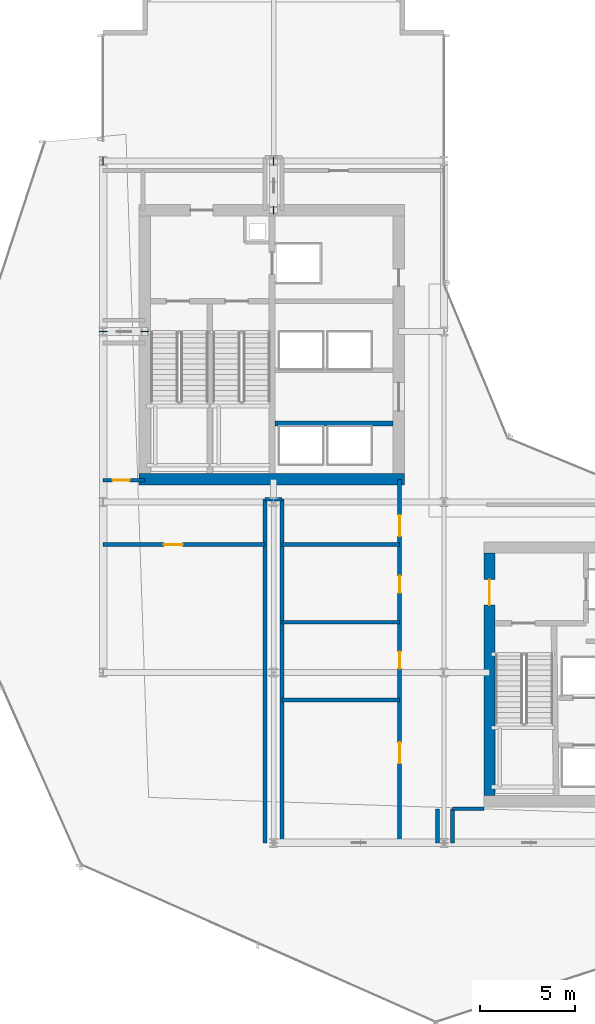
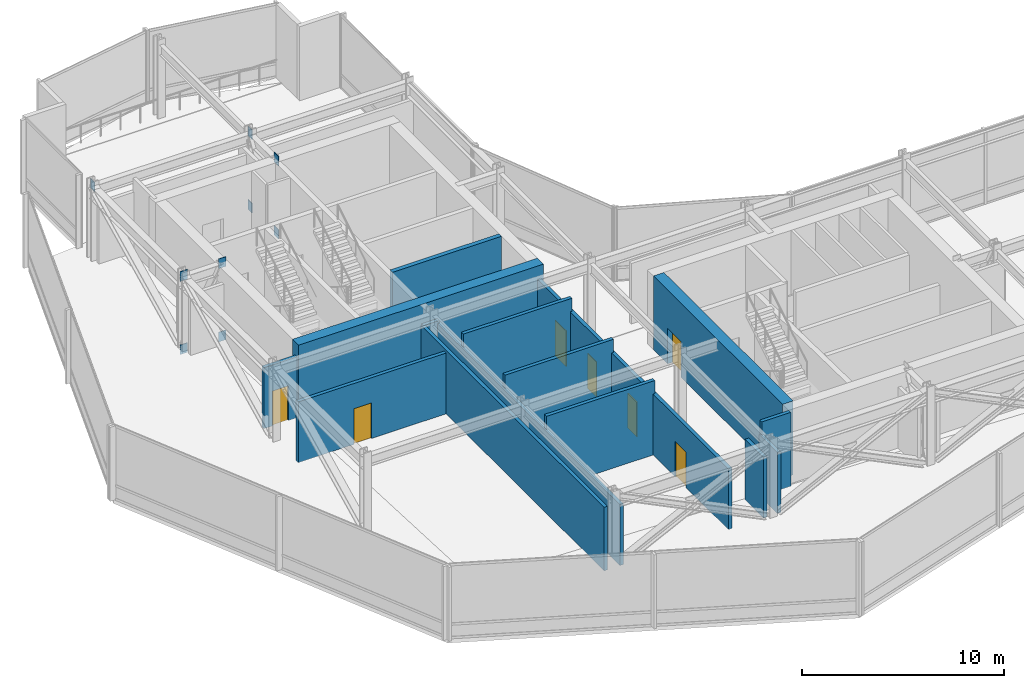
# One storey, part 34 of 42: 15 walls, 9 plates, 7 doors, 7 openings.
"""IFC4 building model written with IfcOpenShell, lengths in metres."""

from ifc_helpers import new_model, si_unit, direction, frame, frame_2d, origin, origin_2d, place, context, subcontext, project, spatial, rectangle, extrude, material, layer, layer_set, type_object, element, fill, save


model = new_model("IFC4")

# Units and contexts
model_context = context("Model", 3, precision=1e-05, world=origin(), true_north=direction((0.0, 1.0)))
body_context = subcontext(model_context, "Body", "Model", "MODEL_VIEW")
ifc_project = project(units=[si_unit("LENGTHUNIT", "METRE"), si_unit("AREAUNIT", "SQUARE_METRE"), si_unit("VOLUMEUNIT", "CUBIC_METRE"), si_unit("PLANEANGLEUNIT", "RADIAN"), si_unit("MASSUNIT", "GRAM", prefix="KILO")], contexts=[model_context])

# Site, building, storey
site_placement = place(None, origin())
site = spatial("IfcSite", under=ifc_project, at=site_placement, CompositionType="ELEMENT")
building_placement = place(site_placement, origin())
building = spatial("IfcBuilding", under=site, at=building_placement, Name="Solvaryn Broadcast Tower", CompositionType="ELEMENT")
storey_placement = place(building_placement, frame((0.0, 0.0, 100.199951171875)))
storey = spatial("IfcBuildingStorey", under=building, at=storey_placement, Name="L24", CompositionType="ELEMENT", Elevation=100.199951171875)

# Plates
ifc_material_1 = material(Name="Steel ASTM A572 Grade 50", Category="steel")
ifc_layer_1 = layer(ifc_material_1, 0.031982421875)
ifc_layer_set_1 = layer_set([ifc_layer_1], Name="PL-ENDCAP-32")
plate_type = type_object("IfcPlateType", Name="PL-ENDCAP-32", PredefinedType="USERDEFINED", material=ifc_layer_set_1)
for number, where, z_axis, x_axis, name in (
    (1, (11.199951171875, 36.0, -0.27001953125), (0.0, 0.0, 1.0), (1.0, 0.0, 0.0), "L24 Outrigger X-Brace W Continuous Diagonal End Plate A"),
    (2, (9.0, 36.0, 4.159912109375), (0.0, 0.0, 1.0), (1.0, 0.0, 0.0), "L24 Outrigger X-Brace W Continuous Diagonal End Plate B"),
    (3, (11.199951171875, 36.0, 4.159912109375), (0.0, 0.0, 1.0), (1.0, 0.0, 0.0), "L24 Outrigger X-Brace W End Plate 2A"),
    (4, (9.0, 36.0, -0.27001953125), (0.0, 0.0, 1.0), (1.0, 0.0, 0.0), "L24 Outrigger X-Brace W End Plate 2B"),
):
    element("IfcPlate", number, at=place(storey_placement, frame(where, z_axis=z_axis, x_axis=x_axis)), inside=storey, type_object=plate_type, Name=name, ObjectType="FLANGE_PLATE", PredefinedType="USERDEFINED", context=body_context, shape_type="SweptSolid", body=[
        extrude(rectangle(XDim=0.419921875, YDim=0.031982421875, at=origin_2d()), origin(), (0.0, 0.0, 1.0), 0.580078125),
    ])
for number, where, z_axis, x_axis, name in (
    (5, (18.0, 42.39990234375, -0.27001953125), (0.0, 0.0, 1.0), (1.0, 0.0, 0.0), "L24 Outrigger X-Brace N Continuous Diagonal End Plate A"),
    (6, (18.0, 45.0, 4.159912109375), (0.0, 0.0, 1.0), (1.0, 0.0, 0.0), "L24 Outrigger X-Brace N Continuous Diagonal End Plate B"),
    (7, (18.0, 42.39990234375, 4.159912109375), (0.0, 0.0, 1.0), (1.0, 0.0, 0.0), "L24 Outrigger X-Brace N End Plate 2A"),
    (8, (18.0, 45.0, -0.27001953125), (0.0, 0.0, 1.0), (1.0, 0.0, 0.0), "L24 Outrigger X-Brace N End Plate 2B"),
    (9, (9.0, 45.0, 4.159912109375), (0.0, 0.0, 1.0), (1.0, 0.0, 0.0), "L24 West Belt Diagonal 5 End Plate B"),
):
    element("IfcPlate", number, at=place(storey_placement, frame(where, z_axis=z_axis, x_axis=x_axis)), inside=storey, type_object=plate_type, Name=name, ObjectType="FLANGE_PLATE", PredefinedType="USERDEFINED", context=body_context, shape_type="SweptSolid", body=[
        extrude(rectangle(XDim=0.031982421875, YDim=0.419921875, at=origin_2d()), origin(), (0.0, 0.0, 1.0), 0.580078125),
    ])

# Wall
ifc_material_2 = material(Name="Concrete f'c 70 MPa", Category="concrete")
ifc_layer_2 = layer(ifc_material_2, 0.60009765625)
ifc_layer_set_2 = layer_set([ifc_layer_2], Name="CW-SHEAR-600")
wall_type_1 = type_object("IfcWallType", Name="CW-SHEAR-600", PredefinedType="SHEAR", material=ifc_layer_set_2)
wall_1_placement = place(storey_placement, frame((10.89990234375, 28.199951171875, 0.0), z_axis=(0.0, 0.0, 1.0), x_axis=(1.0, 0.0, 0.0)))
element("IfcWall", 10, at=wall_1_placement, inside=storey, type_object=wall_type_1, Name="L24 West Core South Shear Wall", PredefinedType="SHEAR", context=body_context, shape_type="SweptSolid", body=[
    extrude(rectangle(XDim=14.0, YDim=0.60009765625, at=frame_2d((7.0, 0.0))), origin(), (0.0, 0.0, 1.0), 4.469970703125),
])

# Wall, opening, door
wall_2_placement = place(storey_placement, frame((29.39990234375, 24.300048828125, 0.0), z_axis=(0.0, 0.0, 1.0), x_axis=(0.0, -1.0, 0.0)))
wall_2 = element("IfcWall", 11, at=wall_2_placement, inside=storey, type_object=wall_type_1, Name="L24 East Core West Shear Wall", PredefinedType="SHEAR", context=body_context, shape_type="SweptSolid", body=[
    extrude(rectangle(XDim=12.800048828125, YDim=0.60009765625, at=frame_2d((6.39990234375, 0.0))), origin(), (0.0, 0.0, 1.0), 4.469970703125),
])
opening_1_placement = place(wall_2_placement, frame((1.39990234375, 0.0, 0.0)))
opening_1 = element("IfcOpeningElement", 12, at=opening_1_placement, cuts=wall_2, Name="Opening FD90B", PredefinedType="OPENING", context=body_context, shape_type="SweptSolid", body=[
    extrude(rectangle(XDim=1.35009765625, YDim=2.14990234375, at=frame_2d((0.675048828125, 1.074951171875))), frame((0.0, 0.31005859375, 0.0), z_axis=(0.0, -1.0, 0.0), x_axis=(1.0, 0.0, 0.0)), (0.0, 0.0, 1.0), 0.6201171875),
])
ifc_material_3 = material(Name="Flush Acoustic Steel and Timber Door Assembly", Category="steel")
door_type_1 = type_object("IfcDoorType", Name="FD90-LOBBY-1350X2150", OperationType="NOTDEFINED", PredefinedType="DOOR", material=ifc_material_3)
door_1_placement = place(opening_1_placement, origin())
door_1 = element("IfcDoor", 13, at=door_1_placement, inside=storey, type_object=door_type_1, Name="L24 East FSAE Lobby Door", OperationType="SINGLE_SWING_RIGHT", OverallHeight=2.14990234375, OverallWidth=1.35009765625, PredefinedType="DOOR", context=body_context, shape_type="SweptSolid", body=[
    extrude(rectangle(XDim=1.35009765625, YDim=2.14990234375, at=frame_2d((0.675048828125, 1.074951171875))), frame((0.0, 0.02490234375, 0.0), z_axis=(0.0, -1.0, 0.0), x_axis=(1.0, 0.0, 0.0)), (0.0, 0.0, 1.0), 0.050048828125),
])
fill(opening_1, door_1)

# Wall, openings, doors
ifc_material_4 = material(Name="Gypsum Fire-Rated Shaftwall Assembly", Category="concrete")
ifc_layer_3 = layer(ifc_material_4, 0.199951171875)
ifc_layer_set_3 = layer_set([ifc_layer_3], Name="IW-RATED-200")
wall_type_2 = type_object("IfcWallType", Name="IW-RATED-200", PredefinedType="PARTITIONING", material=ifc_layer_set_3)
wall_3_placement = place(storey_placement, frame((24.64990234375, 9.0, 0.0), z_axis=(0.0, 0.0, 1.0), x_axis=(0.0, 1.0, 0.0)))
wall_3 = element("IfcWall", 14, at=wall_3_placement, inside=storey, type_object=wall_type_2, Name="L24 Interior Partition IW-L24-MW1", PredefinedType="PARTITIONING", context=body_context, shape_type="SweptSolid", body=[
    extrude(rectangle(XDim=19.199951171875, YDim=0.199951171875, at=frame_2d((9.60009765625, 0.0))), origin(), (0.0, 0.0, 1.0), 3.677001953125),
])
opening_2_placement = place(wall_3_placement, frame((4.199951171875, 0.0, 0.0)))
opening_2 = element("IfcOpeningElement", 15, at=opening_2_placement, cuts=wall_3, Name="Opening FD90C", PredefinedType="OPENING", context=body_context, shape_type="SweptSolid", body=[
    extrude(rectangle(XDim=1.10009765625, YDim=2.14990234375, at=frame_2d((0.550048828125, 1.074951171875))), frame((0.0, 0.110107421875, 0.0), z_axis=(0.0, -1.0, 0.0), x_axis=(1.0, 0.0, 0.0)), (0.0, 0.0, 1.0), 0.219970703125),
])
opening_3_placement = place(wall_3_placement, frame((16.199951171875, 0.0, 0.0)))
opening_3 = element("IfcOpeningElement", 16, at=opening_3_placement, cuts=wall_3, Name="Opening FD90C", PredefinedType="OPENING", context=body_context, shape_type="SweptSolid", body=[
    extrude(rectangle(XDim=1.10009765625, YDim=2.14990234375, at=frame_2d((0.550048828125, 1.074951171875))), frame((0.0, 0.110107421875, 0.0), z_axis=(0.0, -1.0, 0.0), x_axis=(1.0, 0.0, 0.0)), (0.0, 0.0, 1.0), 0.219970703125),
])
opening_4_placement = place(wall_3_placement, frame((9.199951171875, 0.0, 0.0)))
opening_4 = element("IfcOpeningElement", 17, at=opening_4_placement, cuts=wall_3, Name="Opening FD60C", PredefinedType="OPENING", context=body_context, shape_type="SweptSolid", body=[
    extrude(rectangle(XDim=0.89990234375, YDim=2.10009765625, at=frame_2d((0.449951171875, 1.050048828125))), frame((0.0, 0.110107421875, 0.0), z_axis=(0.0, -1.0, 0.0), x_axis=(1.0, 0.0, 0.0)), (0.0, 0.0, 1.0), 0.219970703125),
])
opening_5_placement = place(wall_3_placement, frame((13.199951171875, 0.0, 0.0)))
opening_5 = element("IfcOpeningElement", 18, at=opening_5_placement, cuts=wall_3, Name="Opening FD60C", PredefinedType="OPENING", context=body_context, shape_type="SweptSolid", body=[
    extrude(rectangle(XDim=0.89990234375, YDim=2.10009765625, at=frame_2d((0.449951171875, 1.050048828125))), frame((0.0, 0.110107421875, 0.0), z_axis=(0.0, -1.0, 0.0), x_axis=(1.0, 0.0, 0.0)), (0.0, 0.0, 1.0), 0.219970703125),
])
ifc_material_5 = material(Name="Flush Acoustic Steel and Timber Door Assembly", Category="steel")
door_type_2 = type_object("IfcDoorType", Name="FD60-SERV-900X2100", OperationType="NOTDEFINED", PredefinedType="DOOR", material=ifc_material_5)
door_2_placement = place(opening_4_placement, origin())
door_2 = element("IfcDoor", 19, at=door_2_placement, inside=storey, type_object=door_type_2, Name="L24 Door DR-L24-MD3A", OperationType="SINGLE_SWING_RIGHT", OverallHeight=2.10009765625, OverallWidth=0.89990234375, PredefinedType="DOOR", context=body_context, shape_type="SweptSolid", body=[
    extrude(rectangle(XDim=0.89990234375, YDim=2.10009765625, at=frame_2d((0.449951171875, 1.050048828125))), frame((0.0, 0.02490234375, 0.0), z_axis=(0.0, -1.0, 0.0), x_axis=(1.0, 0.0, 0.0)), (0.0, 0.0, 1.0), 0.050048828125),
])
fill(opening_4, door_2)
door_3_placement = place(opening_5_placement, origin())
door_3 = element("IfcDoor", 20, at=door_3_placement, inside=storey, type_object=door_type_2, Name="L24 Door DR-L24-MD3B", OperationType="SINGLE_SWING_LEFT", OverallHeight=2.10009765625, OverallWidth=0.89990234375, PredefinedType="DOOR", context=body_context, shape_type="SweptSolid", body=[
    extrude(rectangle(XDim=0.89990234375, YDim=2.10009765625, at=frame_2d((0.449951171875, 1.050048828125))), frame((0.0, 0.02490234375, 0.0), z_axis=(0.0, -1.0, 0.0), x_axis=(1.0, 0.0, 0.0)), (0.0, 0.0, 1.0), 0.050048828125),
])
fill(opening_5, door_3)
ifc_material_6 = material(Name="Flush Acoustic Steel and Timber Door Assembly", Category="steel")
door_type_3 = type_object("IfcDoorType", Name="FD90-PLANT-1100X2150", OperationType="NOTDEFINED", PredefinedType="DOOR", material=ifc_material_6)
door_4_placement = place(opening_2_placement, origin())
door_4 = element("IfcDoor", 21, at=door_4_placement, inside=storey, type_object=door_type_3, Name="L24 Door DR-L24-MD1", OperationType="SINGLE_SWING_RIGHT", OverallHeight=2.14990234375, OverallWidth=1.10009765625, PredefinedType="DOOR", context=body_context, shape_type="SweptSolid", body=[
    extrude(rectangle(XDim=1.10009765625, YDim=2.14990234375, at=frame_2d((0.550048828125, 1.074951171875))), frame((0.0, 0.02490234375, 0.0), z_axis=(0.0, -1.0, 0.0), x_axis=(1.0, 0.0, 0.0)), (0.0, 0.0, 1.0), 0.050048828125),
])
fill(opening_2, door_4)
door_5_placement = place(opening_3_placement, origin())
door_5 = element("IfcDoor", 22, at=door_5_placement, inside=storey, type_object=door_type_3, Name="L24 Door DR-L24-MD2", OperationType="SINGLE_SWING_RIGHT", OverallHeight=2.14990234375, OverallWidth=1.10009765625, PredefinedType="DOOR", context=body_context, shape_type="SweptSolid", body=[
    extrude(rectangle(XDim=1.10009765625, YDim=2.14990234375, at=frame_2d((0.550048828125, 1.074951171875))), frame((0.0, 0.02490234375, 0.0), z_axis=(0.0, -1.0, 0.0), x_axis=(1.0, 0.0, 0.0)), (0.0, 0.0, 1.0), 0.050048828125),
])
fill(opening_3, door_5)

# Walls
wall_4_placement = place(storey_placement, frame((17.550048828125, 9.0, 0.0), z_axis=(0.0, 0.0, 1.0), x_axis=(0.0, 1.0, 0.0)))
element("IfcWall", 23, at=wall_4_placement, inside=storey, type_object=wall_type_2, Name="L24 Interior Partition IW-L24-MW1A", PredefinedType="PARTITIONING", context=body_context, shape_type="SweptSolid", body=[
    extrude(rectangle(XDim=18.14990234375, YDim=0.199951171875, at=frame_2d((9.074951171875, 0.0))), origin(), (0.0, 0.0, 1.0), 3.839111328125),
])
wall_5_placement = place(storey_placement, frame((18.449951171875, 9.0, 0.0), z_axis=(0.0, 0.0, 1.0), x_axis=(0.0, 1.0, 0.0)))
element("IfcWall", 24, at=wall_5_placement, inside=storey, type_object=wall_type_2, Name="L24 Interior Partition IW-L24-MW1B", PredefinedType="PARTITIONING", context=body_context, shape_type="SweptSolid", body=[
    extrude(rectangle(XDim=18.14990234375, YDim=0.199951171875, at=frame_2d((9.074951171875, 0.0))), origin(), (0.0, 0.0, 1.0), 3.677001953125),
])
wall_6_placement = place(storey_placement, frame((17.550048828125, 27.14990234375, 0.0), z_axis=(0.0, 0.0, 1.0), x_axis=(1.0, 0.0, 0.0)))
element("IfcWall", 25, at=wall_6_placement, inside=storey, type_object=wall_type_2, Name="L24 Interior Partition IW-L24-MW1N", PredefinedType="PARTITIONING", context=body_context, shape_type="SweptSolid", body=[
    extrude(rectangle(XDim=0.89990234375, YDim=0.199951171875, at=frame_2d((0.449951171875, 0.0))), origin(), (0.0, 0.0, 1.0), 3.839111328125),
])

# Wall, opening, door
wall_7_placement = place(storey_placement, frame((9.0, 24.75, 0.0), z_axis=(0.0, 0.0, 1.0), x_axis=(1.0, 0.0, 0.0)))
wall_7 = element("IfcWall", 26, at=wall_7_placement, inside=storey, type_object=wall_type_2, Name="L24 Interior Partition IW-L24-MW2A", PredefinedType="PARTITIONING", context=body_context, shape_type="SweptSolid", body=[
    extrude(rectangle(XDim=8.550048828125, YDim=0.199951171875, at=frame_2d((4.27490234375, 0.0))), origin(), (0.0, 0.0, 1.0), 3.677001953125),
])
opening_6_placement = place(wall_7_placement, frame((3.199951171875, 0.0, 0.0)))
opening_6 = element("IfcOpeningElement", 27, at=opening_6_placement, cuts=wall_7, Name="Opening FD90D", PredefinedType="OPENING", context=body_context, shape_type="SweptSolid", body=[
    extrude(rectangle(XDim=1.0, YDim=2.14990234375, at=frame_2d((0.5, 1.074951171875))), frame((0.0, 0.110107421875, 0.0), z_axis=(0.0, -1.0, 0.0), x_axis=(1.0, 0.0, 0.0)), (0.0, 0.0, 1.0), 0.219970703125),
])
ifc_material_7 = material(Name="Flush Acoustic Steel and Timber Door Assembly", Category="steel")
door_type_4 = type_object("IfcDoorType", Name="FD90-FCC-1000X2150", OperationType="NOTDEFINED", PredefinedType="DOOR", material=ifc_material_7)
door_6_placement = place(opening_6_placement, origin())
door_6 = element("IfcDoor", 28, at=door_6_placement, inside=storey, type_object=door_type_4, Name="L24 Door DR-L24-MD1A", OperationType="SINGLE_SWING_LEFT", OverallHeight=2.14990234375, OverallWidth=1.0, PredefinedType="DOOR", context=body_context, shape_type="SweptSolid", body=[
    extrude(rectangle(XDim=1.0, YDim=2.14990234375, at=frame_2d((0.5, 1.074951171875))), frame((0.0, 0.02490234375, 0.0), z_axis=(0.0, -1.0, 0.0), x_axis=(1.0, 0.0, 0.0)), (0.0, 0.0, 1.0), 0.050048828125),
])
fill(opening_6, door_6)

# Walls
for number, where, z_axis, x_axis, name in (
    (29, (18.449951171875, 24.75, 0.0), (0.0, 0.0, 1.0), (1.0, 0.0, 0.0), "L24 Interior Partition IW-L24-MW2B"),
    (30, (18.449951171875, 16.550048828125, 0.0), (0.0, 0.0, 1.0), (1.0, 0.0, 0.0), "L24 Interior Partition IW-L24-MW2C"),
    (31, (18.449951171875, 20.64990234375, 0.0), (0.0, 0.0, 1.0), (1.0, 0.0, 0.0), "L24 Interior Partition IW-L24-MW2D"),
):
    element("IfcWall", number, at=place(storey_placement, frame(where, z_axis=z_axis, x_axis=x_axis)), inside=storey, type_object=wall_type_2, Name=name, PredefinedType="PARTITIONING", context=body_context, shape_type="SweptSolid", body=[
        extrude(rectangle(XDim=6.199951171875, YDim=0.199951171875, at=frame_2d((3.10009765625, 0.0))), origin(), (0.0, 0.0, 1.0), 4.469970703125),
    ])

# Wall, opening, door
wall_8_placement = place(storey_placement, frame((9.0, 28.14990234375, 0.0), z_axis=(0.0, 0.0, 1.0), x_axis=(1.0, 0.0, 0.0)))
wall_8 = element("IfcWall", 32, at=wall_8_placement, inside=storey, type_object=wall_type_2, Name="L24 Interior Partition IW-L24-MW3", PredefinedType="PARTITIONING", context=body_context, shape_type="SweptSolid", body=[
    extrude(rectangle(XDim=2.199951171875, YDim=0.199951171875, at=frame_2d((1.10009765625, 0.0))), origin(), (0.0, 0.0, 1.0), 3.677001953125),
])
opening_7_placement = place(wall_8_placement, frame((0.5, 0.0, 0.0)))
opening_7 = element("IfcOpeningElement", 33, at=opening_7_placement, cuts=wall_8, Name="Opening FD60C", PredefinedType="OPENING", context=body_context, shape_type="SweptSolid", body=[
    extrude(rectangle(XDim=0.89990234375, YDim=2.10009765625, at=frame_2d((0.449951171875, 1.050048828125))), frame((0.0, 0.110107421875, 0.0), z_axis=(0.0, -1.0, 0.0), x_axis=(1.0, 0.0, 0.0)), (0.0, 0.0, 1.0), 0.219970703125),
])
door_7_placement = place(opening_7_placement, origin())
door_7 = element("IfcDoor", 34, at=door_7_placement, inside=storey, type_object=door_type_2, Name="L24 Door DR-L24-MD2A", OperationType="SINGLE_SWING_LEFT", OverallHeight=2.10009765625, OverallWidth=0.89990234375, PredefinedType="DOOR", context=body_context, shape_type="SweptSolid", body=[
    extrude(rectangle(XDim=0.89990234375, YDim=2.10009765625, at=frame_2d((0.449951171875, 1.050048828125))), frame((0.0, 0.02490234375, 0.0), z_axis=(0.0, -1.0, 0.0), x_axis=(1.0, 0.0, 0.0)), (0.0, 0.0, 1.0), 0.050048828125),
])
fill(opening_7, door_7)

# Walls
wall_9_placement = place(storey_placement, frame((27.449951171875, 10.800048828125, 0.0), z_axis=(0.0, 0.0, 1.0), x_axis=(1.0, 0.0, 0.0)))
element("IfcWall", 35, at=wall_9_placement, inside=storey, type_object=wall_type_2, Name="L24 Interior Partition IW-L24-MW4A", PredefinedType="PARTITIONING", context=body_context, shape_type="SweptSolid", body=[
    extrude(rectangle(XDim=1.650146484375, YDim=0.199951171875, at=frame_2d((0.8251953125, 0.0))), origin(), (0.0, 0.0, 1.0), 4.469970703125),
])
for number, where, z_axis, x_axis, name in (
    (36, (26.64990234375, 9.0, 0.0), (0.0, 0.0, 1.0), (0.0, 1.0, 0.0), "L24 Interior Partition IW-L24-MW5W"),
    (37, (27.449951171875, 9.0, 0.0), (0.0, 0.0, 1.0), (0.0, 1.0, 0.0), "L24 Interior Partition IW-L24-MW5E"),
):
    element("IfcWall", number, at=place(storey_placement, frame(where, z_axis=z_axis, x_axis=x_axis)), inside=storey, type_object=wall_type_2, Name=name, PredefinedType="PARTITIONING", context=body_context, shape_type="SweptSolid", body=[
        extrude(rectangle(XDim=1.800048828125, YDim=0.199951171875, at=frame_2d((0.89990234375, 0.0))), origin(), (0.0, 0.0, 1.0), 3.677001953125),
    ])
ifc_material_8 = material(Name="Concrete f'c 60 MPa", Category="concrete")
ifc_layer_4 = layer(ifc_material_8, 0.25)
ifc_layer_set_4 = layer_set([ifc_layer_4], Name="SW-SHAFT-250")
wall_type_3 = type_object("IfcWallType", Name="SW-SHAFT-250", PredefinedType="PARTITIONING", material=ifc_layer_set_4)
wall_10_placement = place(storey_placement, frame((18.070068359375, 31.14990234375, 0.0), z_axis=(0.0, 0.0, 1.0), x_axis=(1.0, 0.0, 0.0)))
element("IfcWall", 38, at=wall_10_placement, inside=storey, type_object=wall_type_3, Name="L24 High-Rise Lift Bank South Wall", PredefinedType="PARTITIONING", context=body_context, shape_type="SweptSolid", body=[
    extrude(rectangle(XDim=6.22998046875, YDim=0.25, at=frame_2d((3.114990234375, 0.0))), origin(), (0.0, 0.0, 1.0), 4.469970703125),
])

save(model, "model.ifc")
